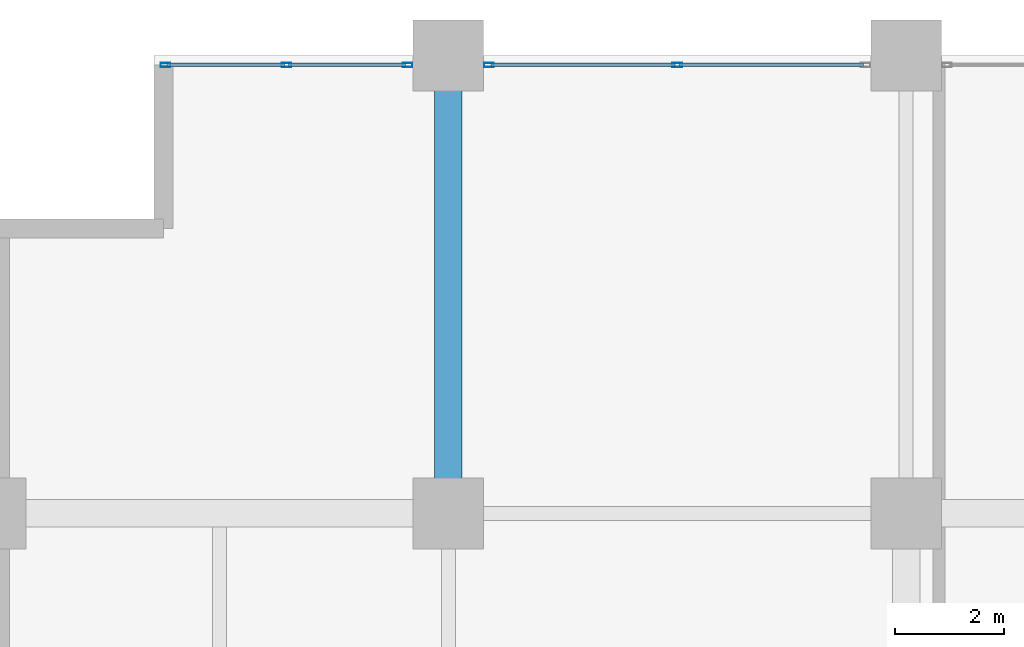
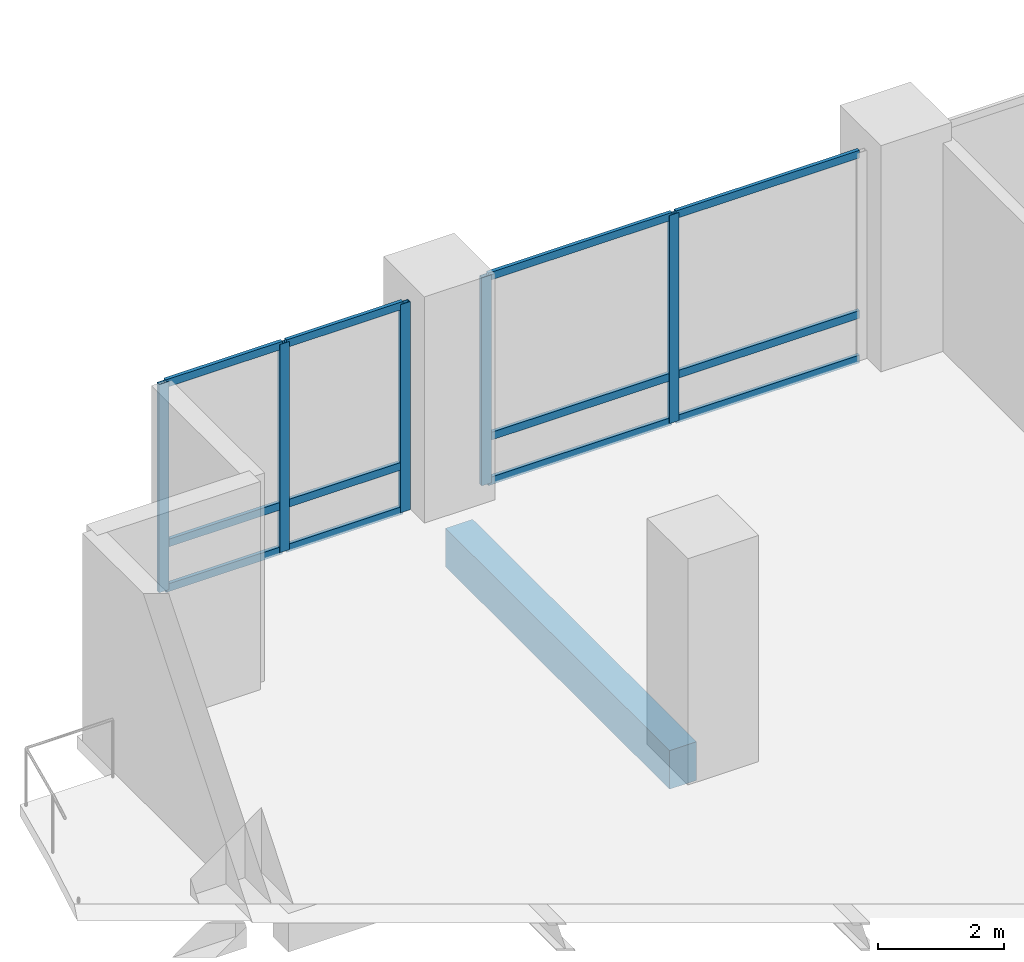
# One storey, part 8 of 24: 17 members, 1 beam, 2 elements without a shape of their own.
"""IFC4 building model written with IfcOpenShell, lengths in metres."""

from ifc_helpers import new_model, si_unit, direction, frame, origin, origin_2d, place, context, subcontext, project, spatial, rectangle, hollow_rectangle, extrude, material, layer, layer_set, material_profile, profile_set, type_object, element, aggregate, save


model = new_model("IFC4")

# Units and contexts
model_context = context("Model", 3, precision=1e-05, world=origin(), true_north=direction((0.0, 1.0)))
body_context = subcontext(model_context, "Body", "Model", "MODEL_VIEW")
ifc_project = project(units=[si_unit("LENGTHUNIT", "METRE"), si_unit("AREAUNIT", "SQUARE_METRE"), si_unit("VOLUMEUNIT", "CUBIC_METRE"), si_unit("PLANEANGLEUNIT", "RADIAN"), si_unit("MASSUNIT", "GRAM", prefix="KILO")], contexts=[model_context])

# Site, building, storey
site_placement = place(None, origin())
site = spatial("IfcSite", under=ifc_project, at=site_placement, CompositionType="ELEMENT")
building_placement = place(site_placement, origin())
building = spatial("IfcBuilding", under=site, at=building_placement, Name="Koriwani Terraces Tower", CompositionType="ELEMENT")
storey_placement = place(building_placement, frame((0.0, 0.0, 89.60009765625)))
storey = spatial("IfcBuildingStorey", under=building, at=storey_placement, Name="L21", CompositionType="ELEMENT", Elevation=89.60009765625)

# Beam
ifc_material_1 = material(Name="Concrete C50/60", Category="concrete")
ifc_material_profile_1 = material_profile(ifc_material_1, rectangle(XDim=0.5, YDim=0.75, at=origin_2d()), Name="Concrete C50/60", Category="LoadBearing")
ifc_profile_set_1 = profile_set([ifc_material_profile_1], Name="Concrete C50/60")
beam_type = type_object("IfcBeamType", Name="BEAM_RC_GRID_500X750", PredefinedType="BEAM", material=ifc_profile_set_1)
beam_placement = place(storey_placement, frame((8.39990234375, 84.6298828125, -0.625), z_axis=(0.0, 1.0, 0.0), x_axis=(-1.0, 0.0, 0.0)))
element("IfcBeam", 1, at=beam_placement, inside=storey, type_object=beam_type, Name="L21 Grid Beam 2 (84.0-92.4m)", PredefinedType="BEAM", context=body_context, shape_type="SweptSolid", body=[
    extrude(rectangle(XDim=0.5, YDim=0.75, at=origin_2d()), origin(), (0.0, 0.0, 1.0), 7.14013671875),
])

# Curtain wall, members
ifc_material_2 = material(Name="Anodised Bronze Aluminium", Category="aluminium")
ifc_layer = layer(ifc_material_2, 0.179931640625, Name="Anodised Bronze Aluminium")
ifc_layer_set = layer_set([ifc_layer], Name="Anodised Bronze Aluminium")
curtain_wall_type = type_object("IfcCurtainWallType", Name="CW_HOTEL_ZONE2", PredefinedType="NOTDEFINED", material=ifc_layer_set)
curtain_wall_1_placement = place(storey_placement, origin())
curtain_wall_1 = element("IfcCurtainWall", 2, at=curtain_wall_1_placement, inside=storey, type_object=curtain_wall_type, Name="L21 Unitised Curtain Wall (N_TIP) Bay 1", PredefinedType="NOTDEFINED")
ifc_material_profile_2 = material_profile(ifc_material_2, hollow_rectangle(XDim=0.074951171875, YDim=0.179931640625, WallThickness=0.006103515625, at=origin_2d()), Name="Anodised Bronze Aluminium", Category="LoadBearing")
ifc_profile_set_2 = profile_set([ifc_material_profile_2], Name="Anodised Bronze Aluminium")
member_type_1 = type_object("IfcMemberType", Name="CW_MULLION_180X75", PredefinedType="MULLION", material=ifc_profile_set_2)
member_1_placement = place(storey_placement, frame((3.21240234375, 92.22509765625, 0.0), z_axis=(0.0, 0.0, 1.0), x_axis=(0.0, 1.0, 0.0)))
member_1 = element("IfcMember", 3, at=member_1_placement, type_object=member_type_1, Name="CW-Z2 mullion 1", PredefinedType="MULLION", context=body_context, shape_type="SweptSolid", body=[
    extrude(hollow_rectangle(XDim=0.074951171875, YDim=0.179931640625, WallThickness=0.006103515625, at=origin_2d()), origin(), (0.0, 0.0, 1.0), 4.0498046875),
])
member_2_placement = place(storey_placement, frame((5.4326171875, 92.22509765625, 0.0), z_axis=(0.0, 0.0, 1.0), x_axis=(0.0, 1.0, 0.0)))
member_2 = element("IfcMember", 4, at=member_2_placement, type_object=member_type_1, Name="CW-Z2 mullion 2", PredefinedType="MULLION", context=body_context, shape_type="SweptSolid", body=[
    extrude(hollow_rectangle(XDim=0.074951171875, YDim=0.179931640625, WallThickness=0.006103515625, at=origin_2d()), origin(), (0.0, 0.0, 1.0), 4.0498046875),
])
member_3_placement = place(storey_placement, frame((7.652587890625, 92.22509765625, 0.0), z_axis=(0.0, 0.0, 1.0), x_axis=(0.0, 1.0, 0.0)))
member_3 = element("IfcMember", 5, at=member_3_placement, type_object=member_type_1, Name="CW-Z2 mullion 3", PredefinedType="MULLION", context=body_context, shape_type="SweptSolid", body=[
    extrude(hollow_rectangle(XDim=0.074951171875, YDim=0.179931640625, WallThickness=0.006103515625, at=origin_2d()), origin(), (0.0, 0.0, 1.0), 4.0498046875),
])

curtain_wall_2_placement = place(storey_placement, origin())
curtain_wall_2 = element("IfcCurtainWall", 6, at=curtain_wall_2_placement, inside=storey, type_object=curtain_wall_type, Name="L21 Unitised Curtain Wall (N_TIP) Bay 2", PredefinedType="NOTDEFINED")
member_4_placement = place(storey_placement, frame((9.1474609375, 92.22509765625, 0.0), z_axis=(0.0, 0.0, 1.0), x_axis=(0.0, 1.0, 0.0)))
member_4 = element("IfcMember", 7, at=member_4_placement, type_object=member_type_1, Name="CW-Z2 mullion 1", PredefinedType="MULLION", context=body_context, shape_type="SweptSolid", body=[
    extrude(hollow_rectangle(XDim=0.074951171875, YDim=0.179931640625, WallThickness=0.006103515625, at=origin_2d()), origin(), (0.0, 0.0, 1.0), 4.0498046875),
])
member_5_placement = place(storey_placement, frame((12.60009765625, 92.22509765625, 0.0), z_axis=(0.0, 0.0, 1.0), x_axis=(0.0, 1.0, 0.0)))
member_5 = element("IfcMember", 8, at=member_5_placement, type_object=member_type_1, Name="CW-Z2 mullion 2", PredefinedType="MULLION", context=body_context, shape_type="SweptSolid", body=[
    extrude(hollow_rectangle(XDim=0.074951171875, YDim=0.179931640625, WallThickness=0.006103515625, at=origin_2d()), origin(), (0.0, 0.0, 1.0), 4.0498046875),
])

# Member
ifc_material_profile_3 = material_profile(ifc_material_2, hollow_rectangle(XDim=0.06494140625, YDim=0.14990234375, WallThickness=0.0048828125, at=origin_2d()), Name="Anodised Bronze Aluminium", Category="LoadBearing")
ifc_profile_set_3 = profile_set([ifc_material_profile_3], Name="Anodised Bronze Aluminium")
member_type_2 = type_object("IfcMemberType", Name="CW_TRANSOM_150X65", PredefinedType="USERDEFINED", material=ifc_profile_set_3)
member_6_placement = place(storey_placement, frame((3.25, 92.22509765625, 0.032470703125), z_axis=(1.0, 0.0, 0.0), x_axis=(0.0, 1.0, 0.0)))
member_6 = element("IfcMember", 9, at=member_6_placement, type_object=member_type_2, Name="CW-Z2 transom 1.1", ObjectType="TRANSOM", PredefinedType="USERDEFINED", context=body_context, shape_type="SweptSolid", body=[
    extrude(hollow_rectangle(XDim=0.06494140625, YDim=0.14990234375, WallThickness=0.0048828125, at=origin_2d()), origin(), (0.0, 0.0, 1.0), 2.14501953125),
])

member_7_placement = place(storey_placement, frame((3.25, 92.22509765625, 0.89990234375), z_axis=(1.0, 0.0, 0.0), x_axis=(0.0, 1.0, 0.0)))
member_7 = element("IfcMember", 10, at=member_7_placement, type_object=member_type_2, Name="CW-Z2 transom 1.2", ObjectType="TRANSOM", PredefinedType="USERDEFINED", context=body_context, shape_type="SweptSolid", body=[
    extrude(hollow_rectangle(XDim=0.06494140625, YDim=0.14990234375, WallThickness=0.0048828125, at=origin_2d()), origin(), (0.0, 0.0, 1.0), 2.14501953125),
])

member_8_placement = place(storey_placement, frame((3.25, 92.22509765625, 4.017333984375), z_axis=(1.0, 0.0, 0.0), x_axis=(0.0, 1.0, 0.0)))
member_8 = element("IfcMember", 11, at=member_8_placement, type_object=member_type_2, Name="CW-Z2 transom 1.3", ObjectType="TRANSOM", PredefinedType="USERDEFINED", context=body_context, shape_type="SweptSolid", body=[
    extrude(hollow_rectangle(XDim=0.06494140625, YDim=0.14990234375, WallThickness=0.0048828125, at=origin_2d()), origin(), (0.0, 0.0, 1.0), 2.14501953125),
])

member_9_placement = place(storey_placement, frame((5.469970703125, 92.22509765625, 0.032470703125), z_axis=(1.0, 0.0, 0.0), x_axis=(0.0, 1.0, 0.0)))
member_9 = element("IfcMember", 12, at=member_9_placement, type_object=member_type_2, Name="CW-Z2 transom 2.1", ObjectType="TRANSOM", PredefinedType="USERDEFINED", context=body_context, shape_type="SweptSolid", body=[
    extrude(hollow_rectangle(XDim=0.06494140625, YDim=0.14990234375, WallThickness=0.0048828125, at=origin_2d()), origin(), (0.0, 0.0, 1.0), 2.14501953125),
])

member_10_placement = place(storey_placement, frame((5.469970703125, 92.22509765625, 0.89990234375), z_axis=(1.0, 0.0, 0.0), x_axis=(0.0, 1.0, 0.0)))
member_10 = element("IfcMember", 13, at=member_10_placement, type_object=member_type_2, Name="CW-Z2 transom 2.2", ObjectType="TRANSOM", PredefinedType="USERDEFINED", context=body_context, shape_type="SweptSolid", body=[
    extrude(hollow_rectangle(XDim=0.06494140625, YDim=0.14990234375, WallThickness=0.0048828125, at=origin_2d()), origin(), (0.0, 0.0, 1.0), 2.14501953125),
])

member_11_placement = place(storey_placement, frame((5.469970703125, 92.22509765625, 4.017333984375), z_axis=(1.0, 0.0, 0.0), x_axis=(0.0, 1.0, 0.0)))
member_11 = element("IfcMember", 14, at=member_11_placement, type_object=member_type_2, Name="CW-Z2 transom 2.3", ObjectType="TRANSOM", PredefinedType="USERDEFINED", context=body_context, shape_type="SweptSolid", body=[
    extrude(hollow_rectangle(XDim=0.06494140625, YDim=0.14990234375, WallThickness=0.0048828125, at=origin_2d()), origin(), (0.0, 0.0, 1.0), 2.14501953125),
])

aggregate(curtain_wall_1, [member_1, member_2, member_3, member_6, member_7, member_8, member_9, member_10, member_11])

member_12_placement = place(storey_placement, frame((9.18505859375, 92.22509765625, 0.032470703125), z_axis=(1.0, 0.0, 0.0), x_axis=(0.0, 1.0, 0.0)))
member_12 = element("IfcMember", 15, at=member_12_placement, type_object=member_type_2, Name="CW-Z2 transom 1.1", ObjectType="TRANSOM", PredefinedType="USERDEFINED", context=body_context, shape_type="SweptSolid", body=[
    extrude(hollow_rectangle(XDim=0.06494140625, YDim=0.14990234375, WallThickness=0.0048828125, at=origin_2d()), origin(), (0.0, 0.0, 1.0), 3.37744140625),
])

member_13_placement = place(storey_placement, frame((9.18505859375, 92.22509765625, 0.89990234375), z_axis=(1.0, 0.0, 0.0), x_axis=(0.0, 1.0, 0.0)))
member_13 = element("IfcMember", 16, at=member_13_placement, type_object=member_type_2, Name="CW-Z2 transom 1.2", ObjectType="TRANSOM", PredefinedType="USERDEFINED", context=body_context, shape_type="SweptSolid", body=[
    extrude(hollow_rectangle(XDim=0.06494140625, YDim=0.14990234375, WallThickness=0.0048828125, at=origin_2d()), origin(), (0.0, 0.0, 1.0), 3.37744140625),
])

member_14_placement = place(storey_placement, frame((9.18505859375, 92.22509765625, 4.017333984375), z_axis=(1.0, 0.0, 0.0), x_axis=(0.0, 1.0, 0.0)))
member_14 = element("IfcMember", 17, at=member_14_placement, type_object=member_type_2, Name="CW-Z2 transom 1.3", ObjectType="TRANSOM", PredefinedType="USERDEFINED", context=body_context, shape_type="SweptSolid", body=[
    extrude(hollow_rectangle(XDim=0.06494140625, YDim=0.14990234375, WallThickness=0.0048828125, at=origin_2d()), origin(), (0.0, 0.0, 1.0), 3.37744140625),
])

member_15_placement = place(storey_placement, frame((12.637451171875, 92.22509765625, 0.032470703125), z_axis=(1.0, 0.0, 0.0), x_axis=(0.0, 1.0, 0.0)))
member_15 = element("IfcMember", 18, at=member_15_placement, type_object=member_type_2, Name="CW-Z2 transom 2.1", ObjectType="TRANSOM", PredefinedType="USERDEFINED", context=body_context, shape_type="SweptSolid", body=[
    extrude(hollow_rectangle(XDim=0.06494140625, YDim=0.14990234375, WallThickness=0.0048828125, at=origin_2d()), origin(), (0.0, 0.0, 1.0), 3.37744140625),
])

member_16_placement = place(storey_placement, frame((12.637451171875, 92.22509765625, 0.89990234375), z_axis=(1.0, 0.0, 0.0), x_axis=(0.0, 1.0, 0.0)))
member_16 = element("IfcMember", 19, at=member_16_placement, type_object=member_type_2, Name="CW-Z2 transom 2.2", ObjectType="TRANSOM", PredefinedType="USERDEFINED", context=body_context, shape_type="SweptSolid", body=[
    extrude(hollow_rectangle(XDim=0.06494140625, YDim=0.14990234375, WallThickness=0.0048828125, at=origin_2d()), origin(), (0.0, 0.0, 1.0), 3.37744140625),
])

member_17_placement = place(storey_placement, frame((12.637451171875, 92.22509765625, 4.017333984375), z_axis=(1.0, 0.0, 0.0), x_axis=(0.0, 1.0, 0.0)))
member_17 = element("IfcMember", 20, at=member_17_placement, type_object=member_type_2, Name="CW-Z2 transom 2.3", ObjectType="TRANSOM", PredefinedType="USERDEFINED", context=body_context, shape_type="SweptSolid", body=[
    extrude(hollow_rectangle(XDim=0.06494140625, YDim=0.14990234375, WallThickness=0.0048828125, at=origin_2d()), origin(), (0.0, 0.0, 1.0), 3.37744140625),
])

aggregate(curtain_wall_2, [member_4, member_5, member_12, member_13, member_14, member_15, member_16, member_17])

save(model, "model.ifc")
